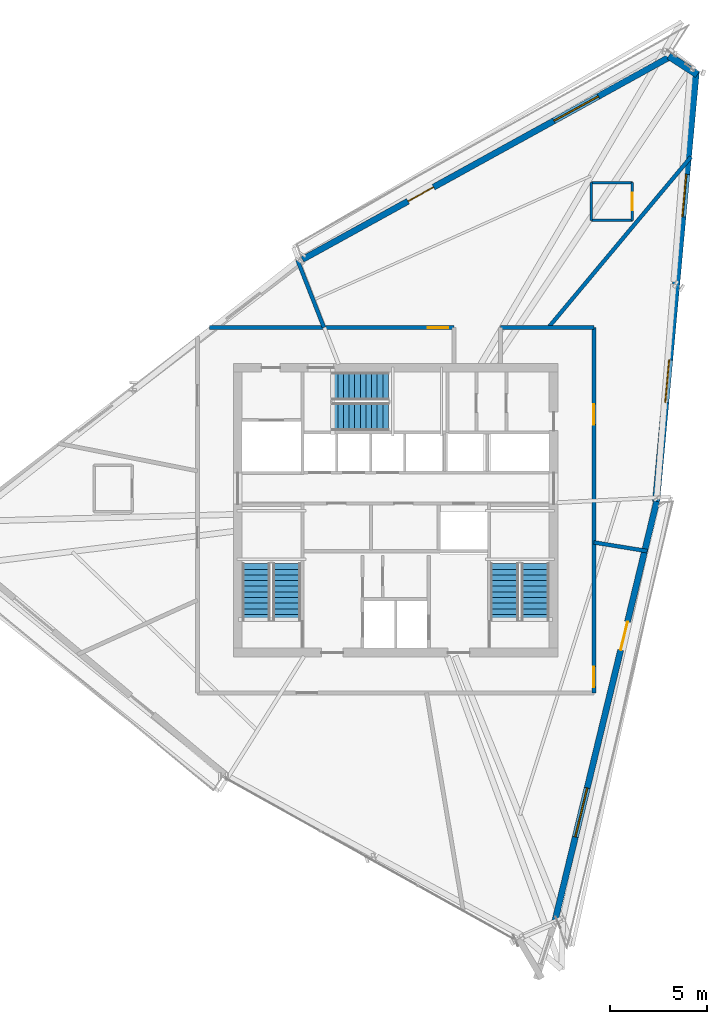
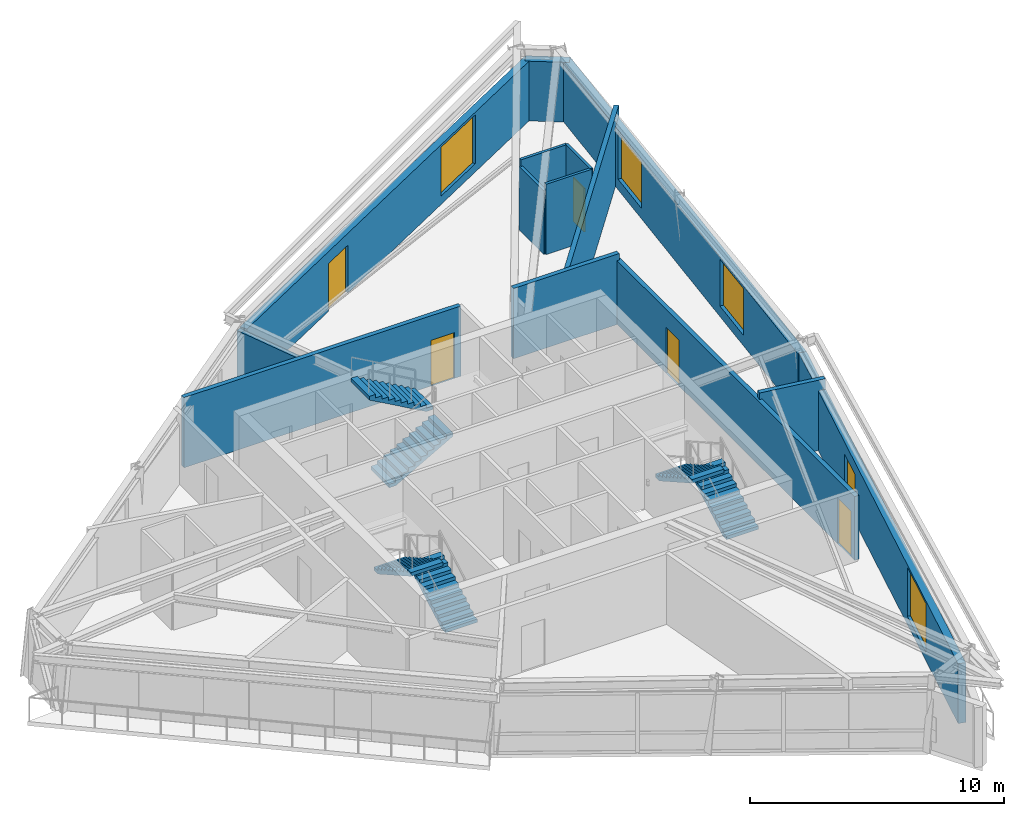
# One storey, part 10 of 13: 14 walls, 6 doors, 6 stair flights, 4 windows, 10 openings, 3 elements without a shape of their own.
"""IFC4 building model written with IfcOpenShell, lengths in metres."""

from ifc_helpers import new_model, si_unit, direction, frame, frame_2d, origin, place, context, subcontext, project, spatial, polyline, rectangle, outline, extrude, source, transform, mapped, material, layer, layer_set, type_object, type_shapes, element, fill, aggregate, save


model = new_model("IFC4")

# Units and contexts
model_context = context("Model", 3, precision=1e-05, world=origin(), true_north=direction((0.0, 1.0)))
body_context = subcontext(model_context, "Body", "Model", "MODEL_VIEW")
ifc_project = project(units=[si_unit("LENGTHUNIT", "METRE"), si_unit("AREAUNIT", "SQUARE_METRE"), si_unit("VOLUMEUNIT", "CUBIC_METRE"), si_unit("PLANEANGLEUNIT", "RADIAN"), si_unit("MASSUNIT", "GRAM", prefix="KILO")], contexts=[model_context])

# Site, building, storey
site_placement = place(None, origin())
site = spatial("IfcSite", under=ifc_project, at=site_placement, CompositionType="ELEMENT")
building_placement = place(site_placement, origin())
building = spatial("IfcBuilding", under=site, at=building_placement, Name="Olszyna Solenne Hotel", CompositionType="ELEMENT")
storey_placement = place(building_placement, frame((0.0, 0.0, 266.89990234375)))
storey = spatial("IfcBuildingStorey", under=building, at=storey_placement, Name="L71", CompositionType="ELEMENT", Elevation=266.89990234375)

# Wall, openings, door, window
ifc_material_1 = material(Name="Precast concrete C45/55", Category="concrete")
ifc_layer_1 = layer(ifc_material_1, 0.320068359375, Name="Precast concrete C45/55")
ifc_layer_set_1 = layer_set([ifc_layer_1], Name="Precast concrete C45/55")
wall_type_1 = type_object("IfcWallType", Name="WL-EX320", PredefinedType="SOLIDWALL", material=ifc_layer_set_1)
wall_1_placement = place(storey_placement, frame((51.4296875, 27.0546875, 0.0), z_axis=(0.0, 0.0, 1.0), x_axis=(-0.235712431361, -0.97182284893, 0.0)))
wall_1 = element("IfcWall", 1, at=wall_1_placement, inside=storey, type_object=wall_type_1, Name="Exterior terracotta-precast frame wall WL-EX320 EW-L71-01", PredefinedType="SOLIDWALL", context=body_context, shape_type="SweptSolid", body=[
    extrude(rectangle(XDim=22.254150390625, YDim=0.320068359375, at=frame_2d((11.126953125, 0.0))), origin(), (0.0, 0.0, 1.0), 2.8720703125),
])
opening_1_placement = place(wall_1_placement, frame((6.37109375, 0.0, 0.0)))
opening_1 = element("IfcOpeningElement", 2, at=opening_1_placement, cuts=wall_1, Name="Opening LDG-L71-3", PredefinedType="OPENING", context=body_context, shape_type="SweptSolid", body=[
    extrude(rectangle(XDim=1.5, YDim=2.300048828125, at=frame_2d((0.75, 1.14990234375))), frame((0.0, 0.169921875, 0.0), z_axis=(0.0, -1.0, 0.0), x_axis=(1.0, 0.0, 0.0)), (0.0, 0.0, 1.0), 0.340087890625),
])
opening_2_placement = place(wall_1_placement, frame((15.16796875, 0.0, 0.402099609375)))
opening_2 = element("IfcOpeningElement", 3, at=opening_2_placement, cuts=wall_1, Name="Opening WN-L71-472", PredefinedType="OPENING", context=body_context, shape_type="SweptSolid", body=[
    extrude(rectangle(XDim=2.60009765625, YDim=2.35009765625, at=frame_2d((1.300048828125, 1.175048828125))), frame((0.0, 0.169921875, 0.0), z_axis=(0.0, -1.0, 0.0), x_axis=(1.0, 0.0, 0.0)), (0.0, 0.0, 1.0), 0.340087890625),
])
ifc_material_2 = material(Name="Anodised bronze aluminium", Category="aluminium")
door_type_1 = type_object("IfcDoorType", Name="DR-LG2", OperationType="DOUBLE_DOOR_SINGLE_SWING", PredefinedType="DOOR", material=ifc_material_2)
shared_shape_1 = source(origin(), body_context, "Body", "SweptSolid", [
    extrude(rectangle(XDim=1.5, YDim=2.300048828125, at=frame_2d((0.75, 1.14990234375))), frame((0.0, 0.02490234375, 0.0), z_axis=(0.0, -1.0, 0.0), x_axis=(1.0, 0.0, 0.0)), (0.0, 0.0, 1.0), 0.050048828125),
])
type_shapes(door_type_1, [shared_shape_1])
door_1_placement = place(opening_1_placement, origin())
door_1 = element("IfcDoor", 4, at=door_1_placement, inside=storey, type_object=door_type_1, Name="Exterior loggia balcony door DR-LG2 LDG-L71-3", OperationType="DOUBLE_DOOR_SINGLE_SWING", OverallHeight=2.300048828125, OverallWidth=1.5, PredefinedType="DOOR", context=body_context, shape_type="MappedRepresentation", body=[
    mapped(shared_shape_1, transform((0.0, 0.0, 0.0), x_axis=(1.0, 0.0, 0.0), y_axis=(0.0, 1.0, 0.0), z_axis=(0.0, 0.0, 1.0), scale=1.0)),
])
fill(opening_1, door_1)
ifc_material_3 = material(Name="Low-E triple glazing", Category="glass")
window_type_1 = type_object("IfcWindowType", Name="WN-ST1", PartitioningType="SINGLE_PANEL", PredefinedType="WINDOW", material=ifc_material_3)
shared_shape_2 = source(origin(), body_context, "Body", "SweptSolid", [
    extrude(rectangle(XDim=2.60009765625, YDim=2.35009765625, at=frame_2d((1.300048828125, 1.175048828125))), frame((0.0, 0.030029296875, 0.0), z_axis=(0.0, -1.0, 0.0), x_axis=(1.0, 0.0, 0.0)), (0.0, 0.0, 1.0), 0.06005859375),
])
type_shapes(window_type_1, [shared_shape_2])
window_1_placement = place(opening_2_placement, origin())
window_1 = element("IfcWindow", 5, at=window_1_placement, inside=storey, type_object=window_type_1, Name="Loggia room window WN-ST1 WN-L71-472", OverallHeight=2.35009765625, OverallWidth=2.60009765625, PartitioningType="SINGLE_PANEL", PredefinedType="WINDOW", context=body_context, shape_type="MappedRepresentation", body=[
    mapped(shared_shape_2, transform((0.0, 0.0, 0.0), x_axis=(1.0, 0.0, 0.0), y_axis=(0.0, 1.0, 0.0), z_axis=(0.0, 0.0, 1.0), scale=1.0)),
])
fill(opening_2, window_1)

wall_2_placement = place(storey_placement, frame((33.198974609375, 39.50146484375, 0.0), z_axis=(0.0, 0.0, 1.0), x_axis=(0.875716063216, 0.482826445658, 0.0)))
wall_2 = element("IfcWall", 6, at=wall_2_placement, inside=storey, type_object=wall_type_1, Name="Exterior terracotta-precast frame wall WL-EX320 EW-L71-08", PredefinedType="SOLIDWALL", context=body_context, shape_type="SweptSolid", body=[
    extrude(rectangle(XDim=21.73828125, YDim=0.320068359375, at=frame_2d((10.869140625, 0.0))), origin(), (0.0, 0.0, 1.0), 2.8720703125),
])
opening_3_placement = place(wall_2_placement, frame((6.2060546875, 0.0, 0.0)))
opening_3 = element("IfcOpeningElement", 7, at=opening_3_placement, cuts=wall_2, Name="Opening LDG-L71-1", PredefinedType="OPENING", context=body_context, shape_type="SweptSolid", body=[
    extrude(rectangle(XDim=1.5, YDim=2.300048828125, at=frame_2d((0.75, 1.14990234375))), frame((0.0, 0.169921875, 0.0), z_axis=(0.0, -1.0, 0.0), x_axis=(1.0, 0.0, 0.0)), (0.0, 0.0, 1.0), 0.340087890625),
])
opening_4_placement = place(wall_2_placement, frame((14.785888671875, 0.0, 0.402099609375)))
opening_4 = element("IfcOpeningElement", 8, at=opening_4_placement, cuts=wall_2, Name="Opening WN-L71-477", PredefinedType="OPENING", context=body_context, shape_type="SweptSolid", body=[
    extrude(rectangle(XDim=2.60009765625, YDim=2.35009765625, at=frame_2d((1.300048828125, 1.175048828125))), frame((0.0, 0.169921875, 0.0), z_axis=(0.0, -1.0, 0.0), x_axis=(1.0, 0.0, 0.0)), (0.0, 0.0, 1.0), 0.340087890625),
])
door_2_placement = place(opening_3_placement, origin())
door_2 = element("IfcDoor", 9, at=door_2_placement, inside=storey, type_object=door_type_1, Name="Exterior loggia balcony door DR-LG2 LDG-L71-1", OperationType="DOUBLE_DOOR_SINGLE_SWING", OverallHeight=2.300048828125, OverallWidth=1.5, PredefinedType="DOOR", context=body_context, shape_type="MappedRepresentation", body=[
    mapped(shared_shape_1, transform((0.0, 0.0, 0.0), x_axis=(1.0, 0.0, 0.0), y_axis=(0.0, 1.0, 0.0), z_axis=(0.0, 0.0, 1.0), scale=1.0)),
])
fill(opening_3, door_2)
window_2_placement = place(opening_4_placement, origin())
window_2 = element("IfcWindow", 10, at=window_2_placement, inside=storey, type_object=window_type_1, Name="Loggia room window WN-ST1 WN-L71-477", OverallHeight=2.35009765625, OverallWidth=2.60009765625, PartitioningType="SINGLE_PANEL", PredefinedType="WINDOW", context=body_context, shape_type="MappedRepresentation", body=[
    mapped(shared_shape_2, transform((0.0, 0.0, 0.0), x_axis=(1.0, 0.0, 0.0), y_axis=(0.0, 1.0, 0.0), z_axis=(0.0, 0.0, 1.0), scale=1.0)),
])
fill(opening_4, window_2)

# Wall
ifc_material_4 = material(Name="Terracotta cladding on precast concrete C45/55", Category="masonry")
ifc_layer_2 = layer(ifc_material_4, 0.3798828125, Name="Terracotta cladding on precast concrete C45/55")
ifc_layer_set_2 = layer_set([ifc_layer_2], Name="Terracotta cladding on precast concrete C45/55")
wall_type_2 = type_object("IfcWallType", Name="WL-EX380", PredefinedType="SOLIDWALL", material=ifc_layer_set_2)
wall_3_placement = place(storey_placement, frame((52.05419921875, 49.978515625, 0.0), z_axis=(0.0, 0.0, 1.0), x_axis=(0.837253617298, -0.54681475869, 0.0)))
element("IfcWall", 11, at=wall_3_placement, inside=storey, type_object=wall_type_2, Name="Exterior terracotta-precast frame wall WL-EX380 EW-L71-09", PredefinedType="SOLIDWALL", context=body_context, shape_type="SweptSolid", body=[
    extrude(rectangle(XDim=1.756103515625, YDim=0.3798828125, at=frame_2d((0.8779296875, 0.0))), origin(), (0.0, 0.0, 1.0), 2.8720703125),
])

# Wall, openings, windows
wall_4_placement = place(storey_placement, frame((53.43896484375, 49.19482421875, 0.0), z_axis=(0.0, 0.0, 1.0), x_axis=(-0.091800782473, -0.995777392964, 0.0)))
wall_4 = element("IfcWall", 12, at=wall_4_placement, inside=storey, type_object=wall_type_2, Name="Exterior terracotta-precast frame wall WL-EX380 EW-L71-10", PredefinedType="SOLIDWALL", context=body_context, shape_type="SweptSolid", body=[
    extrude(rectangle(XDim=22.25439453125, YDim=0.3798828125, at=frame_2d((11.127197265625, 0.0))), origin(), (0.0, 0.0, 1.0), 2.8720703125),
])
opening_5_placement = place(wall_4_placement, frame((5.3310546875, 0.0, 0.501953125)))
opening_5 = element("IfcOpeningElement", 13, at=opening_5_placement, cuts=wall_4, Name="Opening WN-L71-478", PredefinedType="OPENING", context=body_context, shape_type="SweptSolid", body=[
    extrude(rectangle(XDim=2.199951171875, YDim=2.25, at=frame_2d((1.10009765625, 1.125))), frame((0.0, 0.199951171875, 0.0), z_axis=(0.0, -1.0, 0.0), x_axis=(1.0, 0.0, 0.0)), (0.0, 0.0, 1.0), 0.39990234375),
])
opening_6_placement = place(wall_4_placement, frame((14.923095703125, 0.0, 0.501953125)))
opening_6 = element("IfcOpeningElement", 14, at=opening_6_placement, cuts=wall_4, Name="Opening WN-L71-479", PredefinedType="OPENING", context=body_context, shape_type="SweptSolid", body=[
    extrude(rectangle(XDim=2.199951171875, YDim=2.25, at=frame_2d((1.10009765625, 1.125))), frame((0.0, 0.199951171875, 0.0), z_axis=(0.0, -1.0, 0.0), x_axis=(1.0, 0.0, 0.0)), (0.0, 0.0, 1.0), 0.39990234375),
])
window_type_2 = type_object("IfcWindowType", Name="WN-HT2", PartitioningType="SINGLE_PANEL", PredefinedType="WINDOW", material=ifc_material_3)
shared_shape_3 = source(origin(), body_context, "Body", "SweptSolid", [
    extrude(rectangle(XDim=2.199951171875, YDim=2.25, at=frame_2d((1.10009765625, 1.125))), frame((0.0, 0.030029296875, 0.0), z_axis=(0.0, -1.0, 0.0), x_axis=(1.0, 0.0, 0.0)), (0.0, 0.0, 1.0), 0.06005859375),
])
type_shapes(window_type_2, [shared_shape_3])
window_3_placement = place(opening_5_placement, origin())
window_3 = element("IfcWindow", 15, at=window_3_placement, inside=storey, type_object=window_type_2, Name="Exterior facade window WN-HT2 WN-L71-478", OverallHeight=2.25, OverallWidth=2.199951171875, PartitioningType="SINGLE_PANEL", PredefinedType="WINDOW", context=body_context, shape_type="MappedRepresentation", body=[
    mapped(shared_shape_3, transform((0.0, 0.0, 0.0), x_axis=(1.0, 0.0, 0.0), y_axis=(0.0, 1.0, 0.0), z_axis=(0.0, 0.0, 1.0), scale=1.0)),
])
fill(opening_5, window_3)
window_4_placement = place(opening_6_placement, origin())
window_4 = element("IfcWindow", 16, at=window_4_placement, inside=storey, type_object=window_type_2, Name="Exterior facade window WN-HT2 WN-L71-479", OverallHeight=2.25, OverallWidth=2.199951171875, PartitioningType="SINGLE_PANEL", PredefinedType="WINDOW", context=body_context, shape_type="MappedRepresentation", body=[
    mapped(shared_shape_3, transform((0.0, 0.0, 0.0), x_axis=(1.0, 0.0, 0.0), y_axis=(0.0, 1.0, 0.0), z_axis=(0.0, 0.0, 1.0), scale=1.0)),
])
fill(opening_6, window_4)

# Wall, opening, door
ifc_material_5 = material(Name="Acoustic gypsum partition", Category="gypsum")
ifc_layer_3 = layer(ifc_material_5, 0.125, Name="Acoustic gypsum partition")
ifc_layer_set_3 = layer_set([ifc_layer_3], Name="Acoustic gypsum partition")
wall_type_3 = type_object("IfcWallType", Name="WL-PT125", PredefinedType="PARTITIONING", material=ifc_layer_set_3)
wall_5_placement = place(storey_placement, frame((50.172119140625, 41.509033203125, 0.0), z_axis=(0.0, 0.0, 1.0), x_axis=(0.0, 1.0, 0.0)))
wall_5 = element("IfcWall", 17, at=wall_5_placement, inside=storey, type_object=wall_type_3, Name="Interior acoustic partition WL-PT125 PW-L71-3925", PredefinedType="PARTITIONING", context=body_context, shape_type="SweptSolid", body=[
    extrude(rectangle(XDim=1.949951171875, YDim=0.125, at=frame_2d((0.97509765625, 0.0))), origin(), (0.0, 0.0, 1.0), 3.380126953125),
])
opening_7_placement = place(wall_5_placement, frame((0.52490234375, 0.0, 0.0)))
opening_7 = element("IfcOpeningElement", 18, at=opening_7_placement, cuts=wall_5, Name="Opening DR-L71-0950", PredefinedType="OPENING", context=body_context, shape_type="SweptSolid", body=[
    extrude(rectangle(XDim=0.89990234375, YDim=2.10009765625, at=frame_2d((0.449951171875, 1.050048828125))), frame((0.0, 0.072509765625, 0.0), z_axis=(0.0, -1.0, 0.0), x_axis=(1.0, 0.0, 0.0)), (0.0, 0.0, 1.0), 0.14501953125),
])
ifc_material_6 = material(Name="Timber hardwood", Category="wood")
door_type_2 = type_object("IfcDoorType", Name="DR-WC1", OperationType="NOTDEFINED", PredefinedType="DOOR", material=ifc_material_6)
shared_shape_4 = source(origin(), body_context, "Body", "SweptSolid", [
    extrude(rectangle(XDim=0.89990234375, YDim=2.10009765625, at=frame_2d((0.449951171875, 1.050048828125))), frame((0.0, 0.02490234375, 0.0), z_axis=(0.0, -1.0, 0.0), x_axis=(1.0, 0.0, 0.0)), (0.0, 0.0, 1.0), 0.050048828125),
])
type_shapes(door_type_2, [shared_shape_4])
door_3_placement = place(opening_7_placement, origin())
door_3 = element("IfcDoor", 19, at=door_3_placement, inside=storey, type_object=door_type_2, Name="En-Suite Bathroom Door DR-L71-0950", OperationType="SINGLE_SWING_RIGHT", OverallHeight=2.10009765625, OverallWidth=0.89990234375, PredefinedType="DOOR", context=body_context, shape_type="MappedRepresentation", body=[
    mapped(shared_shape_4, transform((0.0, 0.0, 0.0), x_axis=(1.0, 0.0, 0.0), y_axis=(0.0, 1.0, 0.0), z_axis=(0.0, 0.0, 1.0), scale=1.0)),
])
fill(opening_7, door_3)

# Walls
wall_6_placement = place(storey_placement, frame((50.172119140625, 43.458984375, 0.0), z_axis=(0.0, 0.0, 1.0), x_axis=(-1.0, 0.0, 0.0)))
element("IfcWall", 20, at=wall_6_placement, inside=storey, type_object=wall_type_3, Name="Interior acoustic partition WL-PT125 PW-L71-3926", PredefinedType="PARTITIONING", context=body_context, shape_type="SweptSolid", body=[
    extrude(rectangle(XDim=2.10009765625, YDim=0.125, at=frame_2d((1.050048828125, 0.0))), origin(), (0.0, 0.0, 1.0), 3.380126953125),
])
wall_7_placement = place(storey_placement, frame((48.072021484375, 43.458984375, 0.0), z_axis=(0.0, 0.0, 1.0), x_axis=(0.0, -1.0, 0.0)))
element("IfcWall", 21, at=wall_7_placement, inside=storey, type_object=wall_type_3, Name="Interior acoustic partition WL-PT125 PW-L71-3927", PredefinedType="PARTITIONING", context=body_context, shape_type="SweptSolid", body=[
    extrude(rectangle(XDim=1.949951171875, YDim=0.125, at=frame_2d((0.97509765625, 0.0))), origin(), (0.0, 0.0, 1.0), 3.05517578125),
])
wall_8_placement = place(storey_placement, frame((48.072021484375, 41.509033203125, 0.0), z_axis=(0.0, 0.0, 1.0), x_axis=(1.0, 0.0, 0.0)))
element("IfcWall", 22, at=wall_8_placement, inside=storey, type_object=wall_type_3, Name="Interior acoustic partition WL-PT125 PW-L71-3928", PredefinedType="PARTITIONING", context=body_context, shape_type="SweptSolid", body=[
    extrude(rectangle(XDim=2.10009765625, YDim=0.125, at=frame_2d((1.050048828125, 0.0))), origin(), (0.0, 0.0, 1.0), 3.380126953125),
])
ifc_layer_4 = layer(ifc_material_5, 0.199951171875, Name="Acoustic gypsum partition")
ifc_layer_set_4 = layer_set([ifc_layer_4], Name="Acoustic gypsum partition")
wall_type_4 = type_object("IfcWallType", Name="WL-PT200", PredefinedType="PARTITIONING", material=ifc_layer_set_4)
wall_9_placement = place(storey_placement, frame((48.199951171875, 24.943115234375, 0.0), z_axis=(0.0, 0.0, 1.0), x_axis=(0.987066811554, -0.160309418091, 0.0)))
element("IfcWall", 23, at=wall_9_placement, inside=storey, type_object=wall_type_4, Name="Interior acoustic partition WL-PT200 PW-L71-3921", PredefinedType="PARTITIONING", context=body_context, shape_type="SweptSolid", body=[
    extrude(rectangle(XDim=2.779296875, YDim=0.199951171875, at=frame_2d((1.3896484375, 0.0))), origin(), (0.0, 0.0, 1.0), 3.380126953125),
])
wall_10_placement = place(storey_placement, frame((45.855712890625, 36.0, 0.0), z_axis=(0.0, 0.0, 1.0), x_axis=(0.641258383764, 0.767325019305, 0.0)))
element("IfcWall", 24, at=wall_10_placement, inside=storey, type_object=wall_type_4, Name="Interior acoustic partition WL-PT200 PW-L71-3922", PredefinedType="PARTITIONING", context=body_context, shape_type="SweptSolid", body=[
    extrude(rectangle(XDim=11.44140625, YDim=0.199951171875, at=frame_2d((5.720703125, 0.0))), origin(), (0.0, 0.0, 1.0), 3.380126953125),
])
wall_11_placement = place(storey_placement, frame((34.309814453125, 36.0, 0.0), z_axis=(0.0, 0.0, 1.0), x_axis=(-0.365399106967, 0.930850950812, 0.0)))
element("IfcWall", 25, at=wall_11_placement, inside=storey, type_object=wall_type_4, Name="Interior acoustic partition WL-PT200 PW-L71-3923", PredefinedType="PARTITIONING", context=body_context, shape_type="SweptSolid", body=[
    extrude(rectangle(XDim=3.728271484375, YDim=0.199951171875, at=frame_2d((1.8642578125, 0.0))), origin(), (0.0, 0.0, 1.0), 2.9150390625),
])

# Wall, opening, door
wall_12_placement = place(storey_placement, frame((28.414306640625, 36.0, 0.0), z_axis=(0.0, 0.0, 1.0), x_axis=(1.0, 0.0, 0.0)))
wall_12 = element("IfcWall", 26, at=wall_12_placement, inside=storey, type_object=wall_type_4, Name="Interior acoustic partition WL-PT200 PW-L71-3935", PredefinedType="PARTITIONING", context=body_context, shape_type="SweptSolid", body=[
    extrude(rectangle(XDim=12.585693359375, YDim=0.199951171875, at=frame_2d((6.29296875, 0.0))), origin(), (0.0, 0.0, 1.0), 3.380126953125),
])
opening_8_placement = place(wall_12_placement, frame((11.236083984375, 0.0, 0.0)))
opening_8 = element("IfcOpeningElement", 27, at=opening_8_placement, cuts=wall_12, Name="Opening DR-L71-0955", PredefinedType="OPENING", context=body_context, shape_type="SweptSolid", body=[
    extrude(rectangle(XDim=1.050048828125, YDim=2.199951171875, at=frame_2d((0.52490234375, 1.10009765625))), frame((0.0, 0.10986328125, 0.0), z_axis=(0.0, -1.0, 0.0), x_axis=(1.0, 0.0, 0.0)), (0.0, 0.0, 1.0), 0.219970703125),
])
door_type_3 = type_object("IfcDoorType", Name="DR-RM2", OperationType="NOTDEFINED", PredefinedType="DOOR", material=ifc_material_6)
shared_shape_5 = source(origin(), body_context, "Body", "SweptSolid", [
    extrude(rectangle(XDim=1.050048828125, YDim=2.199951171875, at=frame_2d((0.52490234375, 1.10009765625))), frame((0.0, 0.02490234375, 0.0), z_axis=(0.0, -1.0, 0.0), x_axis=(1.0, 0.0, 0.0)), (0.0, 0.0, 1.0), 0.050048828125),
])
type_shapes(door_type_3, [shared_shape_5])
door_4_placement = place(opening_8_placement, origin())
door_4 = element("IfcDoor", 28, at=door_4_placement, inside=storey, type_object=door_type_3, Name="Corner Panorama Suite Entrance Door DR-L71-0955", OperationType="SINGLE_SWING_LEFT", OverallHeight=2.199951171875, OverallWidth=1.050048828125, PredefinedType="DOOR", context=body_context, shape_type="MappedRepresentation", body=[
    mapped(shared_shape_5, transform((0.0, 0.0, 0.0), x_axis=(1.0, 0.0, 0.0), y_axis=(0.0, 1.0, 0.0), z_axis=(0.0, 0.0, 1.0), scale=1.0)),
])
fill(opening_8, door_4)

# Wall
wall_13_placement = place(storey_placement, frame((43.39990234375, 36.0, 0.0), z_axis=(0.0, 0.0, 1.0), x_axis=(1.0, 0.0, 0.0)))
element("IfcWall", 29, at=wall_13_placement, inside=storey, type_object=wall_type_4, Name="Interior acoustic partition WL-PT200 PW-L71-3937", PredefinedType="PARTITIONING", context=body_context, shape_type="SweptSolid", body=[
    extrude(rectangle(XDim=4.800048828125, YDim=0.199951171875, at=frame_2d((2.39990234375, 0.0))), origin(), (0.0, 0.0, 1.0), 3.380126953125),
])

# Wall, openings, doors
wall_14_placement = place(storey_placement, frame((48.199951171875, 17.199951171875, 0.0), z_axis=(0.0, 0.0, 1.0), x_axis=(0.0, 1.0, 0.0)))
wall_14 = element("IfcWall", 30, at=wall_14_placement, inside=storey, type_object=wall_type_4, Name="Interior acoustic partition WL-PT200 PW-L71-3939", PredefinedType="PARTITIONING", context=body_context, shape_type="SweptSolid", body=[
    extrude(rectangle(XDim=18.800048828125, YDim=0.199951171875, at=frame_2d((9.39990234375, 0.0))), origin(), (0.0, 0.0, 1.0), 3.065185546875),
])
opening_9_placement = place(wall_14_placement, frame((0.300048828125, 0.0, 0.0)))
opening_9 = element("IfcOpeningElement", 31, at=opening_9_placement, cuts=wall_14, Name="Opening DR-L71-0956", PredefinedType="OPENING", context=body_context, shape_type="SweptSolid", body=[
    extrude(rectangle(XDim=1.050048828125, YDim=2.199951171875, at=frame_2d((0.52490234375, 1.10009765625))), frame((0.0, 0.10986328125, 0.0), z_axis=(0.0, -1.0, 0.0), x_axis=(1.0, 0.0, 0.0)), (0.0, 0.0, 1.0), 0.219970703125),
])
opening_10_placement = place(wall_14_placement, frame((13.81103515625, 0.0, 0.0)))
opening_10 = element("IfcOpeningElement", 32, at=opening_10_placement, cuts=wall_14, Name="Opening DR-L71-0957", PredefinedType="OPENING", context=body_context, shape_type="SweptSolid", body=[
    extrude(rectangle(XDim=1.050048828125, YDim=2.199951171875, at=frame_2d((0.52490234375, 1.10009765625))), frame((0.0, 0.10986328125, 0.0), z_axis=(0.0, -1.0, 0.0), x_axis=(1.0, 0.0, 0.0)), (0.0, 0.0, 1.0), 0.219970703125),
])
door_5_placement = place(opening_9_placement, origin())
door_5 = element("IfcDoor", 33, at=door_5_placement, inside=storey, type_object=door_type_3, Name="Boutique Art Gallery Entrance Door DR-L71-0956", OperationType="SINGLE_SWING_LEFT", OverallHeight=2.199951171875, OverallWidth=1.050048828125, PredefinedType="DOOR", context=body_context, shape_type="MappedRepresentation", body=[
    mapped(shared_shape_5, transform((0.0, 0.0, 0.0), x_axis=(1.0, 0.0, 0.0), y_axis=(0.0, 1.0, 0.0), z_axis=(0.0, 0.0, 1.0), scale=1.0)),
])
fill(opening_9, door_5)
door_6_placement = place(opening_10_placement, origin())
door_6 = element("IfcDoor", 34, at=door_6_placement, inside=storey, type_object=door_type_3, Name="Executive Reading Salon Entrance Door DR-L71-0957", OperationType="SINGLE_SWING_RIGHT", OverallHeight=2.199951171875, OverallWidth=1.050048828125, PredefinedType="DOOR", context=body_context, shape_type="MappedRepresentation", body=[
    mapped(shared_shape_5, transform((0.0, 0.0, 0.0), x_axis=(1.0, 0.0, 0.0), y_axis=(0.0, 1.0, 0.0), z_axis=(0.0, 0.0, 1.0), scale=1.0)),
])
fill(opening_10, door_6)

# Stair, stair flights
ifc_material_7 = material(Name="Concrete C40/50", Category="concrete")
stair_type = type_object("IfcStairType", Name="STR-C1", PredefinedType="TWO_QUARTER_WINDING_STAIR", material=ifc_material_7)
stair_1_placement = place(storey_placement, origin())
stair_1 = element("IfcStair", 35, at=stair_1_placement, inside=storey, type_object=stair_type, Name="L71 ST1", PredefinedType="TWO_QUARTER_WINDING_STAIR")
stair_flight_type = type_object("IfcStairFlightType", Name="FLT-C1", PredefinedType="STRAIGHT", material=ifc_material_7)
stair_flight_1_placement = place(storey_placement, frame((32.39501953125, 20.949951171875, 0.0), z_axis=(0.0, 0.0, 1.0), x_axis=(0.0, 1.0, 0.0)))
stair_flight_1 = element("IfcStairFlight", 36, at=stair_flight_1_placement, type_object=stair_flight_type, Name="ST1 flight 1", NumberOfRisers=11, NumberOfTreads=10, PredefinedType="STRAIGHT", RiserHeight=0.163636364, TreadLength=0.29, context=body_context, shape_type="SweptSolid", body=[
    extrude(outline(polyline([(0.0, 0.0), (0.0, 0.16357421875), (0.2900390625, 0.16357421875), (0.2900390625, 0.327392578125), (0.580078125, 0.327392578125), (0.580078125, 0.490966796875), (0.8701171875, 0.490966796875), (0.8701171875, 0.654541015625), (1.159912109375, 0.654541015625), (1.159912109375, 0.818115234375), (1.449951171875, 0.818115234375), (1.449951171875, 0.98193359375), (1.739990234375, 0.98193359375), (1.739990234375, 1.1455078125), (2.030029296875, 1.1455078125), (2.030029296875, 1.30908203125), (2.320068359375, 1.30908203125), (2.320068359375, 1.47265625), (2.610107421875, 1.47265625), (2.610107421875, 1.636474609375), (2.89990234375, 1.636474609375), (2.89990234375, 1.800048828125), (2.89990234375, 1.46435546875), (0.304931640625, 0.0), (0.0, 0.0)])), frame((0.0, 0.72509765625, 0.0), z_axis=(0.0, -1.0, 0.0), x_axis=(1.0, 0.0, 0.0)), (0.0, 0.0, 1.0), 1.449951171875),
])
stair_flight_2_placement = place(storey_placement, frame((30.824951171875, 23.85009765625, 1.800048828125), z_axis=(0.0, 0.0, 1.0), x_axis=(0.0, -1.0, 0.0)))
stair_flight_2 = element("IfcStairFlight", 37, at=stair_flight_2_placement, type_object=stair_flight_type, Name="ST1 flight 2", NumberOfRisers=11, NumberOfTreads=10, PredefinedType="STRAIGHT", RiserHeight=0.163636364, TreadLength=0.29, context=body_context, shape_type="SweptSolid", body=[
    extrude(outline(polyline([(0.0, 0.0), (0.0, 0.16357421875), (0.2900390625, 0.16357421875), (0.2900390625, 0.327392578125), (0.580078125, 0.327392578125), (0.580078125, 0.490966796875), (0.8701171875, 0.490966796875), (0.8701171875, 0.654541015625), (1.159912109375, 0.654541015625), (1.159912109375, 0.818115234375), (1.449951171875, 0.818115234375), (1.449951171875, 0.98193359375), (1.739990234375, 0.98193359375), (1.739990234375, 1.1455078125), (2.030029296875, 1.1455078125), (2.030029296875, 1.30908203125), (2.320068359375, 1.30908203125), (2.320068359375, 1.47265625), (2.610107421875, 1.47265625), (2.610107421875, 1.636474609375), (2.89990234375, 1.636474609375), (2.89990234375, 1.800048828125), (2.89990234375, 1.46435546875), (0.304931640625, 0.0), (0.0, 0.0)])), frame((0.0, 0.72509765625, 0.0), z_axis=(0.0, -1.0, 0.0), x_axis=(1.0, 0.0, 0.0)), (0.0, 0.0, 1.0), 1.449951171875),
])
aggregate(stair_1, [stair_flight_1, stair_flight_2])

stair_2_placement = place(storey_placement, origin())
stair_2 = element("IfcStair", 38, at=stair_2_placement, inside=storey, type_object=stair_type, Name="L71 ST2", PredefinedType="TWO_QUARTER_WINDING_STAIR")
stair_flight_3_placement = place(storey_placement, frame((45.175048828125, 20.949951171875, 0.0), z_axis=(0.0, 0.0, 1.0), x_axis=(0.0, 1.0, 0.0)))
stair_flight_3 = element("IfcStairFlight", 39, at=stair_flight_3_placement, type_object=stair_flight_type, Name="ST2 flight 1", NumberOfRisers=11, NumberOfTreads=10, PredefinedType="STRAIGHT", RiserHeight=0.163636364, TreadLength=0.29, context=body_context, shape_type="SweptSolid", body=[
    extrude(outline(polyline([(0.0, 0.0), (0.0, 0.16357421875), (0.2900390625, 0.16357421875), (0.2900390625, 0.327392578125), (0.580078125, 0.327392578125), (0.580078125, 0.490966796875), (0.8701171875, 0.490966796875), (0.8701171875, 0.654541015625), (1.159912109375, 0.654541015625), (1.159912109375, 0.818115234375), (1.449951171875, 0.818115234375), (1.449951171875, 0.98193359375), (1.739990234375, 0.98193359375), (1.739990234375, 1.1455078125), (2.030029296875, 1.1455078125), (2.030029296875, 1.30908203125), (2.320068359375, 1.30908203125), (2.320068359375, 1.47265625), (2.610107421875, 1.47265625), (2.610107421875, 1.636474609375), (2.89990234375, 1.636474609375), (2.89990234375, 1.800048828125), (2.89990234375, 1.46435546875), (0.304931640625, 0.0), (0.0, 0.0)])), frame((0.0, 0.72509765625, 0.0), z_axis=(0.0, -1.0, 0.0), x_axis=(1.0, 0.0, 0.0)), (0.0, 0.0, 1.0), 1.449951171875),
])
stair_flight_4_placement = place(storey_placement, frame((43.60498046875, 23.85009765625, 1.800048828125), z_axis=(0.0, 0.0, 1.0), x_axis=(0.0, -1.0, 0.0)))
stair_flight_4 = element("IfcStairFlight", 40, at=stair_flight_4_placement, type_object=stair_flight_type, Name="ST2 flight 2", NumberOfRisers=11, NumberOfTreads=10, PredefinedType="STRAIGHT", RiserHeight=0.163636364, TreadLength=0.29, context=body_context, shape_type="SweptSolid", body=[
    extrude(outline(polyline([(0.0, 0.0), (0.0, 0.16357421875), (0.2900390625, 0.16357421875), (0.2900390625, 0.327392578125), (0.580078125, 0.327392578125), (0.580078125, 0.490966796875), (0.8701171875, 0.490966796875), (0.8701171875, 0.654541015625), (1.159912109375, 0.654541015625), (1.159912109375, 0.818115234375), (1.449951171875, 0.818115234375), (1.449951171875, 0.98193359375), (1.739990234375, 0.98193359375), (1.739990234375, 1.1455078125), (2.030029296875, 1.1455078125), (2.030029296875, 1.30908203125), (2.320068359375, 1.30908203125), (2.320068359375, 1.47265625), (2.610107421875, 1.47265625), (2.610107421875, 1.636474609375), (2.89990234375, 1.636474609375), (2.89990234375, 1.800048828125), (2.89990234375, 1.46435546875), (0.304931640625, 0.0), (0.0, 0.0)])), frame((0.0, 0.72509765625, 0.0), z_axis=(0.0, -1.0, 0.0), x_axis=(1.0, 0.0, 0.0)), (0.0, 0.0, 1.0), 1.449951171875),
])
aggregate(stair_2, [stair_flight_3, stair_flight_4])

stair_3_placement = place(storey_placement, origin())
stair_3 = element("IfcStair", 41, at=stair_3_placement, inside=storey, type_object=stair_type, Name="L71 ST3", PredefinedType="TWO_QUARTER_WINDING_STAIR")
stair_flight_5_placement = place(storey_placement, frame((34.72998046875, 31.405029296875, 0.0), z_axis=(0.0, 0.0, 1.0), x_axis=(1.0, 0.0, 0.0)))
stair_flight_5 = element("IfcStairFlight", 42, at=stair_flight_5_placement, type_object=stair_flight_type, Name="ST3 flight 1", NumberOfRisers=11, NumberOfTreads=10, PredefinedType="STRAIGHT", RiserHeight=0.163636364, TreadLength=0.29, context=body_context, shape_type="SweptSolid", body=[
    extrude(outline(polyline([(0.0, 0.0), (0.0, 0.16357421875), (0.2900390625, 0.16357421875), (0.2900390625, 0.327392578125), (0.580078125, 0.327392578125), (0.580078125, 0.490966796875), (0.8701171875, 0.490966796875), (0.8701171875, 0.654541015625), (1.159912109375, 0.654541015625), (1.159912109375, 0.818115234375), (1.449951171875, 0.818115234375), (1.449951171875, 0.98193359375), (1.739990234375, 0.98193359375), (1.739990234375, 1.1455078125), (2.030029296875, 1.1455078125), (2.030029296875, 1.30908203125), (2.320068359375, 1.30908203125), (2.320068359375, 1.47265625), (2.610107421875, 1.47265625), (2.610107421875, 1.636474609375), (2.89990234375, 1.636474609375), (2.89990234375, 1.800048828125), (2.89990234375, 1.46435546875), (0.304931640625, 0.0), (0.0, 0.0)])), frame((0.0, 0.72509765625, 0.0), z_axis=(0.0, -1.0, 0.0), x_axis=(1.0, 0.0, 0.0)), (0.0, 0.0, 1.0), 1.449951171875),
])
stair_flight_6_placement = place(storey_placement, frame((37.6298828125, 32.97509765625, 1.800048828125), z_axis=(0.0, 0.0, 1.0), x_axis=(-1.0, 0.0, 0.0)))
stair_flight_6 = element("IfcStairFlight", 43, at=stair_flight_6_placement, type_object=stair_flight_type, Name="ST3 flight 2", NumberOfRisers=11, NumberOfTreads=10, PredefinedType="STRAIGHT", RiserHeight=0.163636364, TreadLength=0.29, context=body_context, shape_type="SweptSolid", body=[
    extrude(outline(polyline([(0.0, 0.0), (0.0, 0.16357421875), (0.2900390625, 0.16357421875), (0.2900390625, 0.327392578125), (0.580078125, 0.327392578125), (0.580078125, 0.490966796875), (0.8701171875, 0.490966796875), (0.8701171875, 0.654541015625), (1.159912109375, 0.654541015625), (1.159912109375, 0.818115234375), (1.449951171875, 0.818115234375), (1.449951171875, 0.98193359375), (1.739990234375, 0.98193359375), (1.739990234375, 1.1455078125), (2.030029296875, 1.1455078125), (2.030029296875, 1.30908203125), (2.320068359375, 1.30908203125), (2.320068359375, 1.47265625), (2.610107421875, 1.47265625), (2.610107421875, 1.636474609375), (2.89990234375, 1.636474609375), (2.89990234375, 1.800048828125), (2.89990234375, 1.46435546875), (0.304931640625, 0.0), (0.0, 0.0)])), frame((0.0, 0.72509765625, 0.0), z_axis=(0.0, -1.0, 0.0), x_axis=(1.0, 0.0, 0.0)), (0.0, 0.0, 1.0), 1.449951171875),
])
aggregate(stair_3, [stair_flight_5, stair_flight_6])

save(model, "model.ifc")
